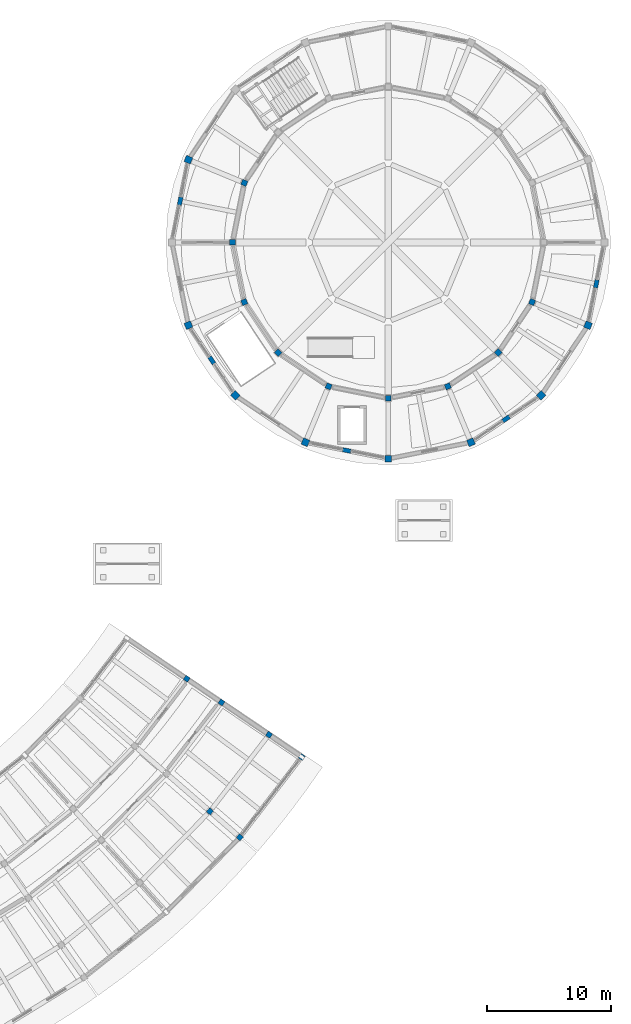
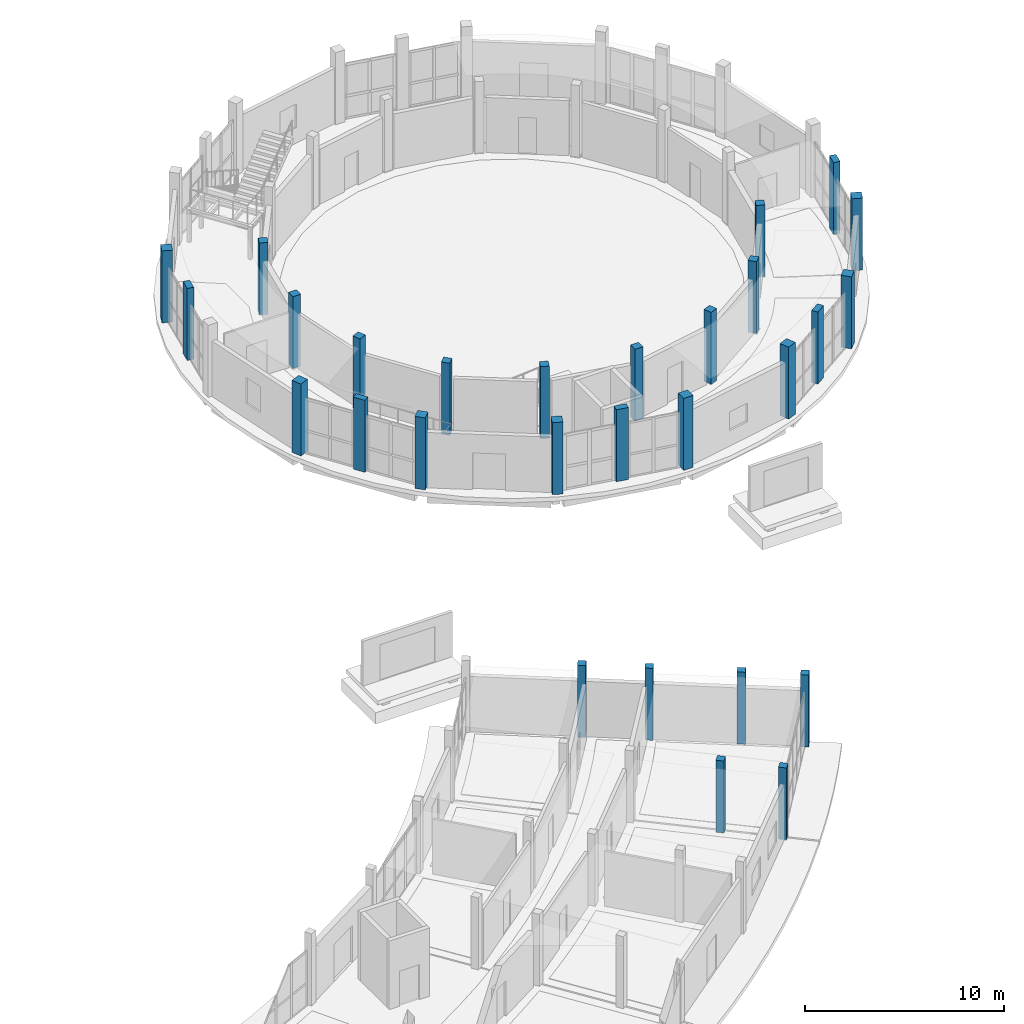
# One storey, part 19 of 92: 28 columns.
"""IFC4 building model written with IfcOpenShell, lengths in metres."""

from ifc_helpers import new_model, si_unit, direction, frame, origin, origin_2d, place, context, subcontext, project, spatial, rectangle, extrude, material, material_profile, profile_set, type_object, element, save


model = new_model("IFC4")

# Units and contexts
model_context = context("Model", 3, precision=1e-05, world=origin(), true_north=direction((0.0, 1.0)))
body_context = subcontext(model_context, "Body", "Model", "MODEL_VIEW")
ifc_project = project(units=[si_unit("LENGTHUNIT", "METRE"), si_unit("AREAUNIT", "SQUARE_METRE"), si_unit("VOLUMEUNIT", "CUBIC_METRE"), si_unit("PLANEANGLEUNIT", "RADIAN"), si_unit("MASSUNIT", "GRAM", prefix="KILO")], contexts=[model_context])

# Site, building, storey
site_placement = place(None, origin())
site = spatial("IfcSite", under=ifc_project, at=site_placement, CompositionType="ELEMENT")
building_placement = place(site_placement, origin())
building = spatial("IfcBuilding", under=site, at=building_placement, Name="Caldaven Crescent School", CompositionType="ELEMENT")
storey_placement = place(building_placement, origin())
storey = spatial("IfcBuildingStorey", under=building, at=storey_placement, Name="L00", CompositionType="ELEMENT", Elevation=0.0)

# Columns
ifc_material_1 = material(Name="Glulam MLE24h (GL28h)", Category="wood")
ifc_material_profile_1 = material_profile(ifc_material_1, rectangle(XDim=0.419921875, YDim=0.419921875, at=origin_2d()), Name="MLE 420x420")
ifc_profile_set_1 = profile_set([ifc_material_profile_1], Name="Glulam MLE24h (GL28h)")
column_type_1 = type_object("IfcColumnType", Name="COL-GL42", PredefinedType="COLUMN", material=ifc_profile_set_1)
for number, where, z_axis, x_axis, name in (
    (1, (138.074951171875, 52.470458984375, 0.0), (0.0, 0.0, 1.0), (0.754709580223, -0.656059028991, 0.0), "COL-V4E-L00-04-3"),
    (2, (140.489990234375, 50.37109375, 0.0), (0.0, 0.0, 1.0), (0.754709580223, -0.656059028991, 0.0), "COL-V4E-L00-04-4"),
    (3, (136.198974609375, 63.201171875, 0.0), (0.0, 0.0, 1.0), (0.826786154745, -0.562516359159, 0.0), "COL-V4E-L00-05-1"),
    (4, (139.009765625, 61.288330078125, 0.0), (0.0, 0.0, 1.0), (0.826786154745, -0.562516359159, 0.0), "COL-V4E-L00-05-2"),
    (5, (142.85400390625, 58.67236328125, 0.0), (0.0, 0.0, 1.0), (0.826786154745, -0.562516359159, 0.0), "COL-V4E-L00-05-3"),
    (6, (145.499755859375, 56.8720703125, 0.0), (0.0, 0.0, 1.0), (0.826786154745, -0.562516359159, 0.0), "COL-V4E-L00-05-4"),
):
    element("IfcColumn", number, at=place(storey_placement, frame(where, z_axis=z_axis, x_axis=x_axis)), inside=storey, type_object=column_type_1, Name=name, PredefinedType="COLUMN", context=body_context, shape_type="SweptSolid", body=[
        extrude(rectangle(XDim=0.419921875, YDim=0.419921875, at=origin_2d()), origin(), (0.0, 0.0, 1.0), 4.419921875),
    ])
ifc_material_profile_2 = material_profile(ifc_material_1, rectangle(XDim=0.449951171875, YDim=0.449951171875, at=origin_2d()), Name="MLE 450x450")
ifc_profile_set_2 = profile_set([ifc_material_profile_2], Name="Glulam MLE24h (GL28h)")
column_type_2 = type_object("IfcColumnType", Name="COL-GL45", PredefinedType="COLUMN", material=ifc_profile_set_2)
for number, where, z_axis, x_axis, name in (
    (7, (140.859130859375, 103.32177734375, 0.0), (0.0, 0.0, 1.0), (-0.923879532511, 0.382683432365, 0.0), "COL-V1-L00-GAL-07"),
    (8, (139.89990234375, 98.5, 0.0), (0.0, 0.0, 1.0), (-1.0, 0.0, 0.0), "COL-V1-L00-GAL-08"),
    (9, (140.859130859375, 93.67822265625, 0.0), (0.0, 0.0, 1.0), (-0.923879532511, -0.382683432365, 0.0), "COL-V1-L00-GAL-09"),
    (10, (143.590576171875, 89.590576171875, 0.0), (0.0, 0.0, 1.0), (-0.707106781187, -0.707106781187, 0.0), "COL-V1-L00-GAL-10"),
    (11, (147.67822265625, 86.859130859375, 0.0), (0.0, 0.0, 1.0), (-0.382683432365, -0.923879532511, 0.0), "COL-V1-L00-GAL-11"),
    (12, (152.5, 85.89990234375, 0.0), (0.0, 0.0, 1.0), (0.0, -1.0, 0.0), "COL-V1-L00-GAL-12"),
    (13, (157.32177734375, 86.859130859375, 0.0), (0.0, 0.0, 1.0), (0.382683432365, -0.923879532511, 0.0), "COL-V1-L00-GAL-13"),
    (14, (161.409423828125, 89.590576171875, 0.0), (0.0, 0.0, 1.0), (0.707106781187, -0.707106781187, 0.0), "COL-V1-L00-GAL-14"),
    (15, (164.140869140625, 93.67822265625, 0.0), (0.0, 0.0, 1.0), (0.923879532511, -0.382683432365, 0.0), "COL-V1-L00-GAL-15"),
):
    element("IfcColumn", number, at=place(storey_placement, frame(where, z_axis=z_axis, x_axis=x_axis)), inside=storey, type_object=column_type_2, Name=name, PredefinedType="COLUMN", context=body_context, shape_type="SweptSolid", body=[
        extrude(rectangle(XDim=0.449951171875, YDim=0.449951171875, at=origin_2d()), origin(), (0.0, 0.0, 1.0), 4.419921875),
    ])
ifc_material_2 = material(Name="Concrete C35/45", Category="concrete")
ifc_material_profile_3 = material_profile(ifc_material_2, rectangle(XDim=0.550048828125, YDim=0.550048828125, at=origin_2d()), Name="RC 550x550")
ifc_profile_set_3 = profile_set([ifc_material_profile_3], Name="Concrete C35/45")
column_type_3 = type_object("IfcColumnType", Name="COL-RC55", PredefinedType="COLUMN", material=ifc_profile_set_3)
for number, where, z_axis, x_axis, name in (
    (16, (136.33203125, 105.197021484375, 0.0), (0.0, 0.0, 1.0), (-0.923879532511, 0.382683432365, 0.0), "COL-V1-L00-OUT-07"),
    (17, (136.33203125, 91.802978515625, 0.0), (0.0, 0.0, 1.0), (-0.923879532511, -0.382683432365, 0.0), "COL-V1-L00-OUT-09"),
    (18, (140.125732421875, 86.125732421875, 0.0), (0.0, 0.0, 1.0), (-0.707106781187, -0.707106781187, 0.0), "COL-V1-L00-OUT-10"),
    (19, (145.802978515625, 82.33203125, 0.0), (0.0, 0.0, 1.0), (-0.382683432365, -0.923879532511, 0.0), "COL-V1-L00-OUT-11"),
    (20, (152.5, 81.0, 0.0), (0.0, 0.0, 1.0), (0.0, -1.0, 0.0), "COL-V1-L00-OUT-12"),
    (21, (159.197021484375, 82.33203125, 0.0), (0.0, 0.0, 1.0), (0.382683432365, -0.923879532511, 0.0), "COL-V1-L00-OUT-13"),
    (22, (164.874267578125, 86.125732421875, 0.0), (0.0, 0.0, 1.0), (0.707106781187, -0.707106781187, 0.0), "COL-V1-L00-OUT-14"),
    (23, (168.66796875, 91.802978515625, 0.0), (0.0, 0.0, 1.0), (0.923879532511, -0.382683432365, 0.0), "COL-V1-L00-OUT-15"),
):
    element("IfcColumn", number, at=place(storey_placement, frame(where, z_axis=z_axis, x_axis=x_axis)), inside=storey, type_object=column_type_3, Name=name, PredefinedType="COLUMN", context=body_context, shape_type="SweptSolid", body=[
        extrude(rectangle(XDim=0.550048828125, YDim=0.550048828125, at=origin_2d()), origin(), (0.0, 0.0, 1.0), 4.419921875),
    ])
ifc_material_3 = material(Name="Concrete C30/37", Category="concrete")
ifc_material_profile_4 = material_profile(ifc_material_3, rectangle(XDim=0.35009765625, YDim=0.64990234375, at=origin_2d()), Name="RC 350x650")
ifc_profile_set_4 = profile_set([ifc_material_profile_4], Name="Concrete C30/37")
column_type_4 = type_object("IfcColumnType", Name="PIL-RC35", PredefinedType="PILASTER", material=ifc_profile_set_4)
for number, where, z_axis, x_axis, name in (
    (24, (135.666015625, 101.848388671875, 0.0), (0.0, 0.0, 1.0), (-0.980785280403, 0.195090322016, 0.0), "PIL-V1-L00-03"),
    (25, (138.228759765625, 88.96435546875, 0.0), (0.0, 0.0, 1.0), (-0.831469612303, -0.55557023302, 0.0), "PIL-V1-L00-04"),
    (26, (149.151611328125, 81.666015625, 0.0), (0.0, 0.0, 1.0), (-0.195090322016, -0.980785280403, 0.0), "PIL-V1-L00-05"),
    (27, (162.03564453125, 84.228759765625, 0.0), (0.0, 0.0, 1.0), (0.55557023302, -0.831469612303, 0.0), "PIL-V1-L00-06"),
    (28, (169.333984375, 95.151611328125, 0.0), (0.0, 0.0, 1.0), (0.980785280403, -0.195090322016, 0.0), "PIL-V1-L00-07"),
):
    element("IfcColumn", number, at=place(storey_placement, frame(where, z_axis=z_axis, x_axis=x_axis)), inside=storey, type_object=column_type_4, Name=name, PredefinedType="PILASTER", context=body_context, shape_type="SweptSolid", body=[
        extrude(rectangle(XDim=0.35009765625, YDim=0.64990234375, at=origin_2d()), origin(), (0.0, 0.0, 1.0), 4.419921875),
    ])

save(model, "model.ifc")
